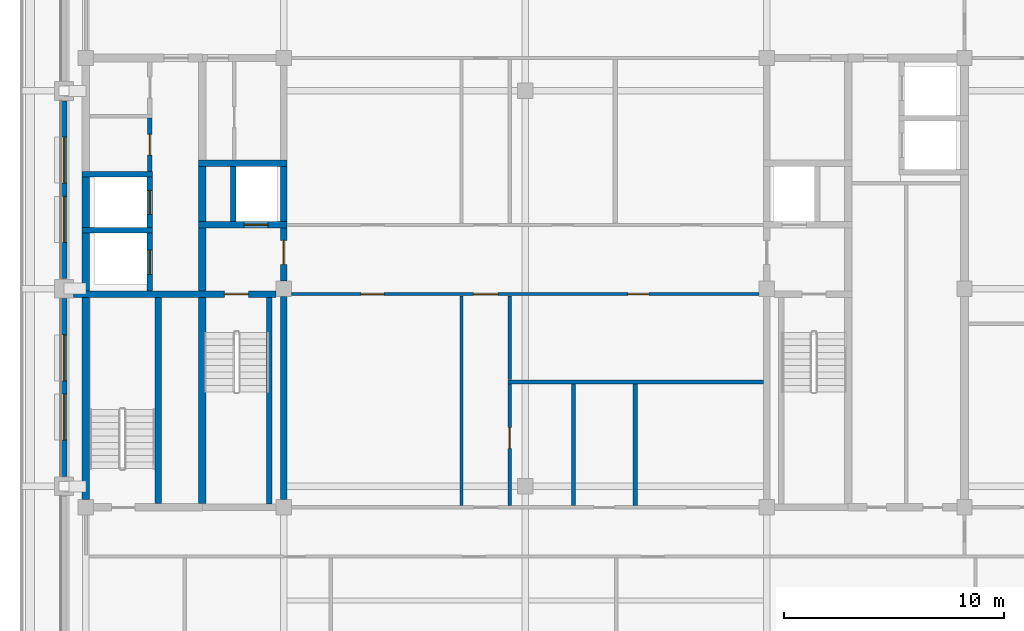
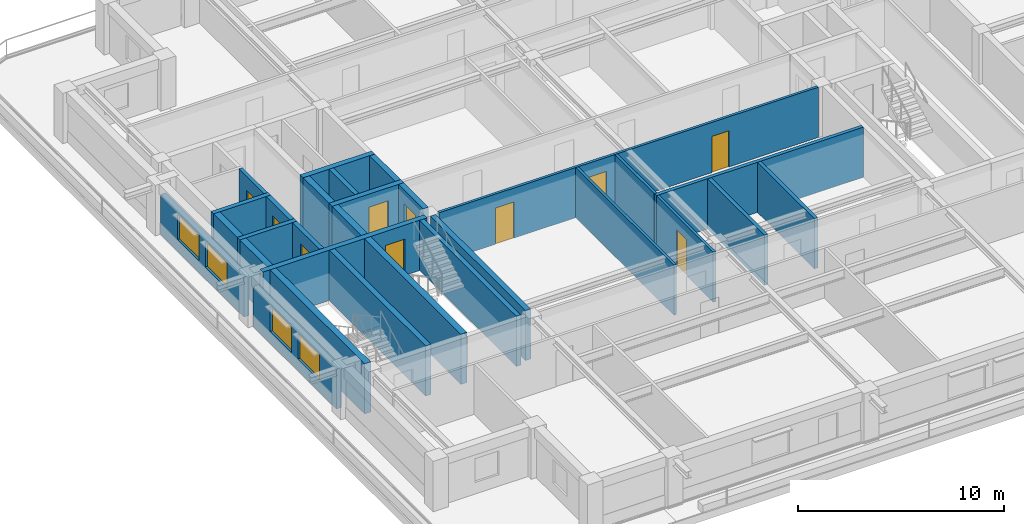
# One storey, part 3 of 11: 29 walls, 10 doors, 4 windows, 14 openings.
"""IFC4 building model written with IfcOpenShell, lengths in metres."""

from ifc_helpers import new_model, si_unit, direction, frame, frame_2d, origin, place, context, subcontext, project, spatial, rectangle, extrude, material, layer, layer_set, type_object, element, fill, save


model = new_model("IFC4")

# Units and contexts
model_context = context("Model", 3, precision=1e-05, world=origin(), true_north=direction((0.0, 1.0)))
body_context = subcontext(model_context, "Body", "Model", "MODEL_VIEW")
ifc_project = project(units=[si_unit("LENGTHUNIT", "METRE"), si_unit("AREAUNIT", "SQUARE_METRE"), si_unit("VOLUMEUNIT", "CUBIC_METRE"), si_unit("PLANEANGLEUNIT", "RADIAN"), si_unit("MASSUNIT", "GRAM", prefix="KILO")], contexts=[model_context])

# Site, building, storey
site_placement = place(None, origin())
site = spatial("IfcSite", under=ifc_project, at=site_placement, CompositionType="ELEMENT")
building_placement = place(site_placement, origin())
building = spatial("IfcBuilding", under=site, at=building_placement, Name="Zulmaris Gate Convention Tower", CompositionType="ELEMENT")
storey_placement = place(building_placement, frame((0.0, 0.0, 239.739990234375)))
storey = spatial("IfcBuildingStorey", under=building, at=storey_placement, Name="L63", CompositionType="ELEMENT", Elevation=239.739990234375)

# Walls
ifc_material_1 = material(Name="Concrete C50/60", Category="concrete")
ifc_layer_1 = layer(ifc_material_1, 0.25, Name="Concrete C50/60")
ifc_layer_set_1 = layer_set([ifc_layer_1], Name="Concrete C50/60")
wall_type_1 = type_object("IfcWallType", Name="CORE-250", PredefinedType="SOLIDWALL", material=ifc_layer_set_1)
for number, where, z_axis, x_axis, name in (
    (1, (-20.175048828125, 2.64990234375, 0.0), (0.0, 0.0, 1.0), (1.0, 0.0, 0.0), "WL-L63-007"),
    (2, (-20.175048828125, 5.199951171875, 0.0), (0.0, 0.0, 1.0), (1.0, 0.0, 0.0), "WL-L63-010"),
):
    element("IfcWall", number, at=place(storey_placement, frame(where, z_axis=z_axis, x_axis=x_axis)), inside=storey, type_object=wall_type_1, Name=name, PredefinedType="SOLIDWALL", context=body_context, shape_type="SweptSolid", body=[
        extrude(rectangle(XDim=3.199951171875, YDim=0.25, at=frame_2d((1.60009765625, 0.0))), origin(), (0.0, 0.0, 1.0), 2.97998046875),
    ])

# Wall, opening, door
wall_1_placement = place(storey_placement, frame((-17.10009765625, -0.097900390625, 0.0), z_axis=(0.0, 0.0, 1.0), x_axis=(0.0, 1.0, 0.0)))
wall_1 = element("IfcWall", 3, at=wall_1_placement, inside=storey, type_object=wall_type_1, Name="WL-L63-035", PredefinedType="SOLIDWALL", context=body_context, shape_type="SweptSolid", body=[
    extrude(rectangle(XDim=2.620849609375, YDim=0.25, at=frame_2d((1.310546875, 0.0))), origin(), (0.0, 0.0, 1.0), 2.97998046875),
])
opening_1_placement = place(wall_1_placement, frame((0.748046875, 0.0, 0.0)))
opening_1 = element("IfcOpeningElement", 4, at=opening_1_placement, cuts=wall_1, Name="Opening D-06", PredefinedType="OPENING", context=body_context, shape_type="SweptSolid", body=[
    extrude(rectangle(XDim=1.10009765625, YDim=2.199951171875, at=frame_2d((0.550048828125, 1.10009765625))), frame((0.0, 0.135009765625, 0.0), z_axis=(0.0, -1.0, 0.0), x_axis=(1.0, 0.0, 0.0)), (0.0, 0.0, 1.0), 0.27001953125),
])
ifc_material_2 = material(Name="Brushed Stainless Steel", Category="steel")
door_type_1 = type_object("IfcDoorType", Name="LD-1100", OperationType="NOTDEFINED", PredefinedType="DOOR", material=ifc_material_2)
door_1_placement = place(opening_1_placement, origin())
door_1 = element("IfcDoor", 5, at=door_1_placement, inside=storey, type_object=door_type_1, Name="L63 Lift Landing Door HP-03 11", OperationType="SLIDING_TO_LEFT", OverallHeight=2.199951171875, OverallWidth=1.10009765625, PredefinedType="DOOR", context=body_context, shape_type="SweptSolid", body=[
    extrude(rectangle(XDim=1.10009765625, YDim=2.199951171875, at=frame_2d((0.550048828125, 1.10009765625))), frame((0.0, 0.02490234375, 0.0), z_axis=(0.0, -1.0, 0.0), x_axis=(1.0, 0.0, 0.0)), (0.0, 0.0, 1.0), 0.050048828125),
])
fill(opening_1, door_1)

wall_2_placement = place(storey_placement, frame((-17.10009765625, 2.777099609375, 0.0), z_axis=(0.0, 0.0, 1.0), x_axis=(0.0, 1.0, 0.0)))
wall_2 = element("IfcWall", 6, at=wall_2_placement, inside=storey, type_object=wall_type_1, Name="WL-L63-036", PredefinedType="SOLIDWALL", context=body_context, shape_type="SweptSolid", body=[
    extrude(rectangle(XDim=2.2958984375, YDim=0.25, at=frame_2d((1.14794921875, 0.0))), origin(), (0.0, 0.0, 1.0), 2.97998046875),
])
opening_2_placement = place(wall_2_placement, frame((0.597900390625, 0.0, 0.0)))
opening_2 = element("IfcOpeningElement", 7, at=opening_2_placement, cuts=wall_2, Name="Opening D-06", PredefinedType="OPENING", context=body_context, shape_type="SweptSolid", body=[
    extrude(rectangle(XDim=1.10009765625, YDim=2.199951171875, at=frame_2d((0.550048828125, 1.10009765625))), frame((0.0, 0.135009765625, 0.0), z_axis=(0.0, -1.0, 0.0), x_axis=(1.0, 0.0, 0.0)), (0.0, 0.0, 1.0), 0.27001953125),
])
door_2_placement = place(opening_2_placement, origin())
door_2 = element("IfcDoor", 8, at=door_2_placement, inside=storey, type_object=door_type_1, Name="L63 Lift Landing Door HP-04 12", OperationType="SLIDING_TO_LEFT", OverallHeight=2.199951171875, OverallWidth=1.10009765625, PredefinedType="DOOR", context=body_context, shape_type="SweptSolid", body=[
    extrude(rectangle(XDim=1.10009765625, YDim=2.199951171875, at=frame_2d((0.550048828125, 1.10009765625))), frame((0.0, 0.02490234375, 0.0), z_axis=(0.0, -1.0, 0.0), x_axis=(1.0, 0.0, 0.0)), (0.0, 0.0, 1.0), 0.050048828125),
])
fill(opening_2, door_2)

# Walls
wall_3_placement = place(storey_placement, frame((-13.300048828125, 3.052001953125, 0.0), z_axis=(0.0, 0.0, 1.0), x_axis=(0.0, 1.0, 0.0)))
element("IfcWall", 9, at=wall_3_placement, inside=storey, type_object=wall_type_1, Name="WL-L63-042", PredefinedType="SOLIDWALL", context=body_context, shape_type="SweptSolid", body=[
    extrude(rectangle(XDim=2.49609375, YDim=0.25, at=frame_2d((1.248046875, 0.0))), origin(), (0.0, 0.0, 1.0), 2.97998046875),
])
wall_4_placement = place(storey_placement, frame((-11.64990234375, -9.798095703125, 0.0), z_axis=(0.0, 0.0, 1.0), x_axis=(0.0, 1.0, 0.0)))
element("IfcWall", 10, at=wall_4_placement, inside=storey, type_object=wall_type_1, Name="WL-L63-043", PredefinedType="SOLIDWALL", context=body_context, shape_type="SweptSolid", body=[
    extrude(rectangle(XDim=9.39599609375, YDim=0.25, at=frame_2d((4.697998046875, 0.0))), origin(), (0.0, 0.0, 1.0), 2.97998046875),
])

# Wall, opening, door
ifc_layer_2 = layer(ifc_material_1, 0.300048828125, Name="Concrete C50/60")
ifc_layer_set_2 = layer_set([ifc_layer_2], Name="Concrete C50/60")
wall_type_2 = type_object("IfcWallType", Name="CORE-300", PredefinedType="SHEAR", material=ifc_layer_set_2)
wall_5_placement = place(storey_placement, frame((-20.571044921875, -0.25, 0.0), z_axis=(0.0, 0.0, 1.0), x_axis=(1.0, 0.0, 0.0)))
wall_5 = element("IfcWall", 11, at=wall_5_placement, inside=storey, type_object=wall_type_2, Name="WL-L63-005", PredefinedType="SHEAR", context=body_context, shape_type="SweptSolid", body=[
    extrude(rectangle(XDim=9.217041015625, YDim=0.300048828125, at=frame_2d((4.6083984375, 0.0))), origin(), (0.0, 0.0, 1.0), 2.97998046875),
])
opening_3_placement = place(wall_5_placement, frame((6.87109375, 0.0, 0.0)))
opening_3 = element("IfcOpeningElement", 12, at=opening_3_placement, cuts=wall_5, Name="Opening D-08", PredefinedType="OPENING", context=body_context, shape_type="SweptSolid", body=[
    extrude(rectangle(XDim=1.10009765625, YDim=2.14990234375, at=frame_2d((0.550048828125, 1.074951171875))), frame((0.0, 0.16015625, 0.0), z_axis=(0.0, -1.0, 0.0), x_axis=(1.0, 0.0, 0.0)), (0.0, 0.0, 1.0), 0.320068359375),
])
ifc_material_3 = material(Name="Fire-Rated Steel", Category="steel")
door_type_2 = type_object("IfcDoorType", Name="DR-1100-FD", OperationType="NOTDEFINED", PredefinedType="DOOR", material=ifc_material_3)
door_3_placement = place(opening_3_placement, origin())
door_3 = element("IfcDoor", 13, at=door_3_placement, inside=storey, type_object=door_type_2, Name="L63 Exit Stair ST-1 Door 01", OperationType="SINGLE_SWING_RIGHT", OverallHeight=2.14990234375, OverallWidth=1.10009765625, PredefinedType="DOOR", context=body_context, shape_type="SweptSolid", body=[
    extrude(rectangle(XDim=1.10009765625, YDim=2.14990234375, at=frame_2d((0.550048828125, 1.074951171875))), frame((0.0, 0.02490234375, 0.0), z_axis=(0.0, -1.0, 0.0), x_axis=(1.0, 0.0, 0.0)), (0.0, 0.0, 1.0), 0.050048828125),
])
fill(opening_3, door_3)

wall_6_placement = place(storey_placement, frame((-14.875, 2.89990234375, 0.0), z_axis=(0.0, 0.0, 1.0), x_axis=(1.0, 0.0, 0.0)))
wall_6 = element("IfcWall", 14, at=wall_6_placement, inside=storey, type_object=wall_type_2, Name="WL-L63-008", PredefinedType="SHEAR", context=body_context, shape_type="SweptSolid", body=[
    extrude(rectangle(XDim=4.02490234375, YDim=0.300048828125, at=frame_2d((2.012451171875, 0.0))), origin(), (0.0, 0.0, 1.0), 2.97998046875),
])
opening_4_placement = place(wall_6_placement, frame((2.074951171875, 0.0, 0.0)))
opening_4 = element("IfcOpeningElement", 15, at=opening_4_placement, cuts=wall_6, Name="Opening D-06", PredefinedType="OPENING", context=body_context, shape_type="SweptSolid", body=[
    extrude(rectangle(XDim=1.10009765625, YDim=2.199951171875, at=frame_2d((0.550048828125, 1.10009765625))), frame((0.0, 0.16015625, 0.0), z_axis=(0.0, -1.0, 0.0), x_axis=(1.0, 0.0, 0.0)), (0.0, 0.0, 1.0), 0.320068359375),
])
door_4_placement = place(opening_4_placement, origin())
door_4 = element("IfcDoor", 16, at=door_4_placement, inside=storey, type_object=door_type_1, Name="L63 Lift Landing Door LF-01 03", OperationType="SLIDING_TO_LEFT", OverallHeight=2.199951171875, OverallWidth=1.10009765625, PredefinedType="DOOR", context=body_context, shape_type="SweptSolid", body=[
    extrude(rectangle(XDim=1.10009765625, YDim=2.199951171875, at=frame_2d((0.550048828125, 1.10009765625))), frame((0.0, 0.02490234375, 0.0), z_axis=(0.0, -1.0, 0.0), x_axis=(1.0, 0.0, 0.0)), (0.0, 0.0, 1.0), 0.050048828125),
])
fill(opening_4, door_4)

# Walls
wall_7_placement = place(storey_placement, frame((-14.875, 5.699951171875, 0.0), z_axis=(0.0, 0.0, 1.0), x_axis=(1.0, 0.0, 0.0)))
element("IfcWall", 17, at=wall_7_placement, inside=storey, type_object=wall_type_2, Name="WL-L63-012", PredefinedType="SHEAR", context=body_context, shape_type="SweptSolid", body=[
    extrude(rectangle(XDim=4.02490234375, YDim=0.300048828125, at=frame_2d((2.012451171875, 0.0))), origin(), (0.0, 0.0, 1.0), 2.97998046875),
])
wall_8_placement = place(storey_placement, frame((-16.699951171875, -9.77294921875, 0.0), z_axis=(0.0, 0.0, 1.0), x_axis=(0.0, 1.0, 0.0)))
element("IfcWall", 18, at=wall_8_placement, inside=storey, type_object=wall_type_2, Name="WL-L63-037", PredefinedType="SHEAR", context=body_context, shape_type="SweptSolid", body=[
    extrude(rectangle(XDim=9.370849609375, YDim=0.300048828125, at=frame_2d((4.685546875, 0.0))), origin(), (0.0, 0.0, 1.0), 2.97998046875),
])
wall_9_placement = place(storey_placement, frame((-11.0, -9.595947265625, 0.0), z_axis=(0.0, 0.0, 1.0), x_axis=(0.0, 1.0, 0.0)))
element("IfcWall", 19, at=wall_9_placement, inside=storey, type_object=wall_type_2, Name="WL-L63-044", PredefinedType="SHEAR", context=body_context, shape_type="SweptSolid", body=[
    extrude(rectangle(XDim=9.241943359375, YDim=0.300048828125, at=frame_2d((4.62109375, 0.0))), origin(), (0.0, 0.0, 1.0), 2.97998046875),
])

# Wall, opening, door
wall_10_placement = place(storey_placement, frame((-11.0, 0.35400390625, 0.0), z_axis=(0.0, 0.0, 1.0), x_axis=(0.0, 1.0, 0.0)))
wall_10 = element("IfcWall", 20, at=wall_10_placement, inside=storey, type_object=wall_type_2, Name="WL-L63-045", PredefinedType="SHEAR", context=body_context, shape_type="SweptSolid", body=[
    extrude(rectangle(XDim=2.39404296875, YDim=0.300048828125, at=frame_2d((1.197021484375, 0.0))), origin(), (0.0, 0.0, 1.0), 2.97998046875),
])
opening_5_placement = place(wall_10_placement, frame((0.74609375, 0.0, 0.0)))
opening_5 = element("IfcOpeningElement", 21, at=opening_5_placement, cuts=wall_10, Name="Opening D-08", PredefinedType="OPENING", context=body_context, shape_type="SweptSolid", body=[
    extrude(rectangle(XDim=1.10009765625, YDim=2.14990234375, at=frame_2d((0.550048828125, 1.074951171875))), frame((0.0, 0.16015625, 0.0), z_axis=(0.0, -1.0, 0.0), x_axis=(1.0, 0.0, 0.0)), (0.0, 0.0, 1.0), 0.320068359375),
])
door_5_placement = place(opening_5_placement, origin())
door_5 = element("IfcDoor", 22, at=door_5_placement, inside=storey, type_object=door_type_2, Name="L63 West Firefighting Lobby Door 02", OperationType="SINGLE_SWING_LEFT", OverallHeight=2.14990234375, OverallWidth=1.10009765625, PredefinedType="DOOR", context=body_context, shape_type="SweptSolid", body=[
    extrude(rectangle(XDim=1.10009765625, YDim=2.14990234375, at=frame_2d((0.550048828125, 1.074951171875))), frame((0.0, 0.02490234375, 0.0), z_axis=(0.0, -1.0, 0.0), x_axis=(1.0, 0.0, 0.0)), (0.0, 0.0, 1.0), 0.050048828125),
])
fill(opening_5, door_5)

# Walls
wall_11_placement = place(storey_placement, frame((-11.0, 3.052001953125, 0.0), z_axis=(0.0, 0.0, 1.0), x_axis=(0.0, 1.0, 0.0)))
element("IfcWall", 23, at=wall_11_placement, inside=storey, type_object=wall_type_2, Name="WL-L63-046", PredefinedType="SHEAR", context=body_context, shape_type="SweptSolid", body=[
    extrude(rectangle(XDim=2.49609375, YDim=0.300048828125, at=frame_2d((1.248046875, 0.0))), origin(), (0.0, 0.0, 1.0), 2.97998046875),
])
ifc_material_4 = material(Name="Concrete C55/67", Category="concrete")
ifc_layer_3 = layer(ifc_material_4, 0.35009765625, Name="Concrete C55/67")
ifc_layer_set_3 = layer_set([ifc_layer_3], Name="Concrete C55/67")
wall_type_3 = type_object("IfcWallType", Name="CORE-350", PredefinedType="SHEAR", material=ifc_layer_set_3)
wall_12_placement = place(storey_placement, frame((-20.0, -9.595947265625, 0.0), z_axis=(0.0, 0.0, 1.0), x_axis=(0.0, 1.0, 0.0)))
element("IfcWall", 24, at=wall_12_placement, inside=storey, type_object=wall_type_3, Name="WL-L63-031", PredefinedType="SHEAR", context=body_context, shape_type="SweptSolid", body=[
    extrude(rectangle(XDim=9.19384765625, YDim=0.35009765625, at=frame_2d((4.596923828125, 0.0))), origin(), (0.0, 0.0, 1.0), 2.97998046875),
])
wall_13_placement = place(storey_placement, frame((-20.0, -0.097900390625, 0.0), z_axis=(0.0, 0.0, 1.0), x_axis=(0.0, 1.0, 0.0)))
element("IfcWall", 25, at=wall_13_placement, inside=storey, type_object=wall_type_3, Name="WL-L63-032", PredefinedType="SHEAR", context=body_context, shape_type="SweptSolid", body=[
    extrude(rectangle(XDim=2.620849609375, YDim=0.35009765625, at=frame_2d((1.310546875, 0.0))), origin(), (0.0, 0.0, 1.0), 2.97998046875),
])
wall_14_placement = place(storey_placement, frame((-20.0, 2.777099609375, 0.0), z_axis=(0.0, 0.0, 1.0), x_axis=(0.0, 1.0, 0.0)))
element("IfcWall", 26, at=wall_14_placement, inside=storey, type_object=wall_type_3, Name="WL-L63-033", PredefinedType="SHEAR", context=body_context, shape_type="SweptSolid", body=[
    extrude(rectangle(XDim=2.2958984375, YDim=0.35009765625, at=frame_2d((1.14794921875, 0.0))), origin(), (0.0, 0.0, 1.0), 2.97998046875),
])
wall_15_placement = place(storey_placement, frame((-14.699951171875, -9.77294921875, 0.0), z_axis=(0.0, 0.0, 1.0), x_axis=(0.0, 1.0, 0.0)))
element("IfcWall", 27, at=wall_15_placement, inside=storey, type_object=wall_type_3, Name="WL-L63-038", PredefinedType="SHEAR", context=body_context, shape_type="SweptSolid", body=[
    extrude(rectangle(XDim=9.370849609375, YDim=0.35009765625, at=frame_2d((4.685546875, 0.0))), origin(), (0.0, 0.0, 1.0), 2.97998046875),
])
wall_16_placement = place(storey_placement, frame((-14.699951171875, -0.097900390625, 0.0), z_axis=(0.0, 0.0, 1.0), x_axis=(0.0, 1.0, 0.0)))
element("IfcWall", 28, at=wall_16_placement, inside=storey, type_object=wall_type_3, Name="WL-L63-039", PredefinedType="SHEAR", context=body_context, shape_type="SweptSolid", body=[
    extrude(rectangle(XDim=2.845947265625, YDim=0.35009765625, at=frame_2d((1.4228515625, 0.0))), origin(), (0.0, 0.0, 1.0), 2.97998046875),
])
wall_17_placement = place(storey_placement, frame((-14.699951171875, 3.052001953125, 0.0), z_axis=(0.0, 0.0, 1.0), x_axis=(0.0, 1.0, 0.0)))
element("IfcWall", 29, at=wall_17_placement, inside=storey, type_object=wall_type_3, Name="WL-L63-040", PredefinedType="SHEAR", context=body_context, shape_type="SweptSolid", body=[
    extrude(rectangle(XDim=2.49609375, YDim=0.35009765625, at=frame_2d((1.248046875, 0.0))), origin(), (0.0, 0.0, 1.0), 2.97998046875),
])

# Wall, openings, doors
ifc_material_5 = material(Name="Gypsum Metal Stud Partition")
ifc_layer_4 = layer(ifc_material_5, 0.14990234375, Name="Gypsum Metal Stud Partition")
ifc_layer_set_4 = layer_set([ifc_layer_4], Name="Gypsum Metal Stud Partition")
wall_type_4 = type_object("IfcWallType", Name="PART-150", PredefinedType="PARTITIONING", material=ifc_layer_set_4)
wall_18_placement = place(storey_placement, frame((-10.64404296875, -0.25, 0.0), z_axis=(0.0, 0.0, 1.0), x_axis=(1.0, 0.0, 0.0)))
wall_18 = element("IfcWall", 30, at=wall_18_placement, inside=storey, type_object=wall_type_4, Name="WL-L63-024", PredefinedType="PARTITIONING", context=body_context, shape_type="SweptSolid", body=[
    extrude(rectangle(XDim=21.2880859375, YDim=0.14990234375, at=frame_2d((10.64404296875, 0.0))), origin(), (0.0, 0.0, 1.0), 2.97998046875),
])
opening_6_placement = place(wall_18_placement, frame((8.2939453125, 0.0, 0.0)))
opening_6 = element("IfcOpeningElement", 31, at=opening_6_placement, cuts=wall_18, Name="Opening D-08", PredefinedType="OPENING", context=body_context, shape_type="SweptSolid", body=[
    extrude(rectangle(XDim=1.10009765625, YDim=2.14990234375, at=frame_2d((0.550048828125, 1.074951171875))), frame((0.0, 0.0849609375, 0.0), z_axis=(0.0, -1.0, 0.0), x_axis=(1.0, 0.0, 0.0)), (0.0, 0.0, 1.0), 0.169921875),
])
opening_7_placement = place(wall_18_placement, frame((3.1689453125, 0.0, 0.0)))
opening_7 = element("IfcOpeningElement", 32, at=opening_7_placement, cuts=wall_18, Name="Opening D-09", PredefinedType="OPENING", context=body_context, shape_type="SweptSolid", body=[
    extrude(rectangle(XDim=1.050048828125, YDim=2.14990234375, at=frame_2d((0.52490234375, 1.074951171875))), frame((0.0, 0.0849609375, 0.0), z_axis=(0.0, -1.0, 0.0), x_axis=(1.0, 0.0, 0.0)), (0.0, 0.0, 1.0), 0.169921875),
])
opening_8_placement = place(wall_18_placement, frame((15.319091796875, 0.0, 0.0)))
opening_8 = element("IfcOpeningElement", 33, at=opening_8_placement, cuts=wall_18, Name="Opening D-11", PredefinedType="OPENING", context=body_context, shape_type="SweptSolid", body=[
    extrude(rectangle(XDim=0.949951171875, YDim=2.14990234375, at=frame_2d((0.47509765625, 1.074951171875))), frame((0.0, 0.0849609375, 0.0), z_axis=(0.0, -1.0, 0.0), x_axis=(1.0, 0.0, 0.0)), (0.0, 0.0, 1.0), 0.169921875),
])
door_type_3 = type_object("IfcDoorType", Name="DR-1050-FD", OperationType="NOTDEFINED", PredefinedType="DOOR", material=ifc_material_3)
door_6_placement = place(opening_7_placement, origin())
door_6 = element("IfcDoor", 34, at=door_6_placement, inside=storey, type_object=door_type_3, Name="L63 Sky Library Door 37", OperationType="SINGLE_SWING_RIGHT", OverallHeight=2.14990234375, OverallWidth=1.050048828125, PredefinedType="DOOR", context=body_context, shape_type="SweptSolid", body=[
    extrude(rectangle(XDim=1.050048828125, YDim=2.14990234375, at=frame_2d((0.52490234375, 1.074951171875))), frame((0.0, 0.02490234375, 0.0), z_axis=(0.0, -1.0, 0.0), x_axis=(1.0, 0.0, 0.0)), (0.0, 0.0, 1.0), 0.050048828125),
])
fill(opening_7, door_6)
door_7_placement = place(opening_6_placement, origin())
door_7 = element("IfcDoor", 35, at=door_7_placement, inside=storey, type_object=door_type_2, Name="L63 Exec Cross South Door 24", OperationType="SINGLE_SWING_LEFT", OverallHeight=2.14990234375, OverallWidth=1.10009765625, PredefinedType="DOOR", context=body_context, shape_type="SweptSolid", body=[
    extrude(rectangle(XDim=1.10009765625, YDim=2.14990234375, at=frame_2d((0.550048828125, 1.074951171875))), frame((0.0, 0.02490234375, 0.0), z_axis=(0.0, -1.0, 0.0), x_axis=(1.0, 0.0, 0.0)), (0.0, 0.0, 1.0), 0.050048828125),
])
fill(opening_6, door_7)
ifc_material_6 = material(Name="Fire-Rated Timber", Category="wood")
door_type_4 = type_object("IfcDoorType", Name="DR-950-FD", OperationType="NOTDEFINED", PredefinedType="DOOR", material=ifc_material_6)
door_8_placement = place(opening_8_placement, origin())
door_8 = element("IfcDoor", 36, at=door_8_placement, inside=storey, type_object=door_type_4, Name="L63 Public WC Door 38", OperationType="SINGLE_SWING_LEFT", OverallHeight=2.14990234375, OverallWidth=0.949951171875, PredefinedType="DOOR", context=body_context, shape_type="SweptSolid", body=[
    extrude(rectangle(XDim=0.949951171875, YDim=2.14990234375, at=frame_2d((0.47509765625, 1.074951171875))), frame((0.0, 0.02490234375, 0.0), z_axis=(0.0, -1.0, 0.0), x_axis=(1.0, 0.0, 0.0)), (0.0, 0.0, 1.0), 0.050048828125),
])
fill(opening_8, door_8)

# Wall
wall_19_placement = place(storey_placement, frame((-2.89990234375, -9.8720703125, 0.0), z_axis=(0.0, 0.0, 1.0), x_axis=(0.0, 1.0, 0.0)))
element("IfcWall", 37, at=wall_19_placement, inside=storey, type_object=wall_type_4, Name="WL-L63-072", PredefinedType="PARTITIONING", context=body_context, shape_type="SweptSolid", body=[
    extrude(rectangle(XDim=9.544189453125, YDim=0.14990234375, at=frame_2d((4.77197265625, 0.0))), origin(), (0.0, 0.0, 1.0), 2.97998046875),
])

# Wall, opening, door
wall_20_placement = place(storey_placement, frame((-0.699951171875, -9.8720703125, 0.0), z_axis=(0.0, 0.0, 1.0), x_axis=(0.0, 1.0, 0.0)))
wall_20 = element("IfcWall", 38, at=wall_20_placement, inside=storey, type_object=wall_type_4, Name="WL-L63-074", PredefinedType="PARTITIONING", context=body_context, shape_type="SweptSolid", body=[
    extrude(rectangle(XDim=5.51904296875, YDim=0.14990234375, at=frame_2d((2.759521484375, 0.0))), origin(), (0.0, 0.0, 1.0), 2.97998046875),
])
opening_9_placement = place(wall_20_placement, frame((2.596923828125, 0.0, 0.0)))
opening_9 = element("IfcOpeningElement", 39, at=opening_9_placement, cuts=wall_20, Name="Opening D-11", PredefinedType="OPENING", context=body_context, shape_type="SweptSolid", body=[
    extrude(rectangle(XDim=0.949951171875, YDim=2.14990234375, at=frame_2d((0.47509765625, 1.074951171875))), frame((0.0, 0.0849609375, 0.0), z_axis=(0.0, -1.0, 0.0), x_axis=(1.0, 0.0, 0.0)), (0.0, 0.0, 1.0), 0.169921875),
])
door_9_placement = place(opening_9_placement, origin())
door_9 = element("IfcDoor", 40, at=door_9_placement, inside=storey, type_object=door_type_4, Name="L63 Hygiene Supply Door 39", OperationType="SINGLE_SWING_RIGHT", OverallHeight=2.14990234375, OverallWidth=0.949951171875, PredefinedType="DOOR", context=body_context, shape_type="SweptSolid", body=[
    extrude(rectangle(XDim=0.949951171875, YDim=2.14990234375, at=frame_2d((0.47509765625, 1.074951171875))), frame((0.0, 0.02490234375, 0.0), z_axis=(0.0, -1.0, 0.0), x_axis=(1.0, 0.0, 0.0)), (0.0, 0.0, 1.0), 0.050048828125),
])
fill(opening_9, door_9)

# Walls
wall_21_placement = place(storey_placement, frame((-0.699951171875, -4.14697265625, 0.0), z_axis=(0.0, 0.0, 1.0), x_axis=(0.0, 1.0, 0.0)))
element("IfcWall", 41, at=wall_21_placement, inside=storey, type_object=wall_type_4, Name="WL-L63-075", PredefinedType="PARTITIONING", context=body_context, shape_type="SweptSolid", body=[
    extrude(rectangle(XDim=3.819091796875, YDim=0.14990234375, at=frame_2d((1.90966796875, 0.0))), origin(), (0.0, 0.0, 1.0), 2.97998046875),
])
ifc_material_7 = material(Name="Autoclaved Aerated Concrete Block and Plasterboard", Category="concrete")
ifc_layer_5 = layer(ifc_material_7, 0.199951171875, Name="Autoclaved Aerated Concrete Block and Plasterboard")
ifc_layer_set_5 = layer_set([ifc_layer_5], Name="Autoclaved Aerated Concrete Block and Plasterboard")
wall_type_5 = type_object("IfcWallType", Name="PART-200", PredefinedType="PARTITIONING", material=ifc_layer_set_5)
wall_22_placement = place(storey_placement, frame((-0.77490234375, -4.25, 0.0), z_axis=(0.0, 0.0, 1.0), x_axis=(1.0, 0.0, 0.0)))
element("IfcWall", 42, at=wall_22_placement, inside=storey, type_object=wall_type_5, Name="WL-L63-022", PredefinedType="PARTITIONING", context=body_context, shape_type="SweptSolid", body=[
    extrude(rectangle(XDim=11.621826171875, YDim=0.199951171875, at=frame_2d((5.81103515625, 0.0))), origin(), (0.0, 0.0, 1.0), 2.97998046875),
])

# Wall, opening, door
wall_23_placement = place(storey_placement, frame((-17.10009765625, 5.327880859375, 0.0), z_axis=(0.0, 0.0, 1.0), x_axis=(0.0, 1.0, 0.0)))
wall_23 = element("IfcWall", 43, at=wall_23_placement, inside=storey, type_object=wall_type_5, Name="WL-L63-065", PredefinedType="PARTITIONING", context=body_context, shape_type="SweptSolid", body=[
    extrude(rectangle(XDim=2.444091796875, YDim=0.199951171875, at=frame_2d((1.22216796875, 0.0))), origin(), (0.0, 0.0, 1.0), 2.97998046875),
])
opening_10_placement = place(wall_23_placement, frame((0.7470703125, 0.0, 0.0)))
opening_10 = element("IfcOpeningElement", 44, at=opening_10_placement, cuts=wall_23, Name="Opening D-11", PredefinedType="OPENING", context=body_context, shape_type="SweptSolid", body=[
    extrude(rectangle(XDim=0.949951171875, YDim=2.14990234375, at=frame_2d((0.47509765625, 1.074951171875))), frame((0.0, 0.10986328125, 0.0), z_axis=(0.0, -1.0, 0.0), x_axis=(1.0, 0.0, 0.0)), (0.0, 0.0, 1.0), 0.219970703125),
])
door_10_placement = place(opening_10_placement, origin())
door_10 = element("IfcDoor", 45, at=door_10_placement, inside=storey, type_object=door_type_4, Name="L63 Valet Closet Door 15", OperationType="SINGLE_SWING_RIGHT", OverallHeight=2.14990234375, OverallWidth=0.949951171875, PredefinedType="DOOR", context=body_context, shape_type="SweptSolid", body=[
    extrude(rectangle(XDim=0.949951171875, YDim=2.14990234375, at=frame_2d((0.47509765625, 1.074951171875))), frame((0.0, 0.02490234375, 0.0), z_axis=(0.0, -1.0, 0.0), x_axis=(1.0, 0.0, 0.0)), (0.0, 0.0, 1.0), 0.050048828125),
])
fill(opening_10, door_10)

# Walls
for number, where, z_axis, x_axis, name in (
    (46, (2.199951171875, -9.8720703125, 0.0), (0.0, 0.0, 1.0), (0.0, 1.0, 0.0), "WL-L63-078"),
    (47, (5.0, -9.8720703125, 0.0), (0.0, 0.0, 1.0), (0.0, 1.0, 0.0), "WL-L63-081"),
):
    element("IfcWall", number, at=place(storey_placement, frame(where, z_axis=z_axis, x_axis=x_axis)), inside=storey, type_object=wall_type_5, Name=name, PredefinedType="PARTITIONING", context=body_context, shape_type="SweptSolid", body=[
        extrude(rectangle(XDim=5.51904296875, YDim=0.199951171875, at=frame_2d((2.759521484375, 0.0))), origin(), (0.0, 0.0, 1.0), 2.97998046875),
    ])

# Wall, openings, windows
ifc_material_8 = material(Name="Precast concrete C40/50", Category="concrete")
ifc_layer_6 = layer(ifc_material_8, 0.300048828125, Name="Precast concrete C40/50")
ifc_layer_set_6 = layer_set([ifc_layer_6], Name="Precast concrete C40/50")
wall_type_6 = type_object("IfcWallType", Name="PRECAST-PIER-300", PredefinedType="STANDARD", material=ifc_layer_set_6)
wall_24_placement = place(storey_placement, frame((-21.0, -0.455078125, 0.0), z_axis=(0.0, 0.0, 1.0), x_axis=(0.0, -1.0, 0.0)))
wall_24 = element("IfcWall", 48, at=wall_24_placement, inside=storey, type_object=wall_type_6, Name="EW-L63-W-1_0", PredefinedType="STANDARD", context=body_context, shape_type="SweptSolid", body=[
    extrude(rectangle(XDim=8.08984375, YDim=0.300048828125, at=frame_2d((4.044921875, 0.0))), origin(), (0.0, 0.0, 1.0), 2.3720703125),
])
opening_11_placement = place(wall_24_placement, frame((1.64697265625, 0.0, 0.699951171875)))
opening_11 = element("IfcOpeningElement", 49, at=opening_11_placement, cuts=wall_24, Name="Opening W-05", PredefinedType="OPENING", context=body_context, shape_type="SweptSolid", body=[
    extrude(rectangle(XDim=2.10009765625, YDim=1.5, at=frame_2d((1.050048828125, 0.75))), frame((0.0, 0.16015625, 0.0), z_axis=(0.0, -1.0, 0.0), x_axis=(1.0, 0.0, 0.0)), (0.0, 0.0, 1.0), 0.320068359375),
])
opening_12_placement = place(wall_24_placement, frame((4.343017578125, 0.0, 0.699951171875)))
opening_12 = element("IfcOpeningElement", 50, at=opening_12_placement, cuts=wall_24, Name="Opening W-05", PredefinedType="OPENING", context=body_context, shape_type="SweptSolid", body=[
    extrude(rectangle(XDim=2.10009765625, YDim=1.5, at=frame_2d((1.050048828125, 0.75))), frame((0.0, 0.16015625, 0.0), z_axis=(0.0, -1.0, 0.0), x_axis=(1.0, 0.0, 0.0)), (0.0, 0.0, 1.0), 0.320068359375),
])
ifc_material_9 = material(Name="Low-E Laminated Double Glazing in Aluminium Frame", Category="aluminium")
window_type = type_object("IfcWindowType", Name="WIN-2100x2400", PartitioningType="SINGLE_PANEL", PredefinedType="WINDOW", material=ifc_material_9)
window_1_placement = place(opening_11_placement, origin())
window_1 = element("IfcWindow", 51, at=window_1_placement, inside=storey, type_object=window_type, Name="WN-EW-L63-W-1_0-1", OverallHeight=1.5, OverallWidth=2.10009765625, PartitioningType="SINGLE_PANEL", PredefinedType="WINDOW", context=body_context, shape_type="SweptSolid", body=[
    extrude(rectangle(XDim=2.10009765625, YDim=1.5, at=frame_2d((1.050048828125, 0.75))), frame((0.0, 0.030029296875, 0.0), z_axis=(0.0, -1.0, 0.0), x_axis=(1.0, 0.0, 0.0)), (0.0, 0.0, 1.0), 0.06005859375),
])
fill(opening_11, window_1)
window_2_placement = place(opening_12_placement, origin())
window_2 = element("IfcWindow", 52, at=window_2_placement, inside=storey, type_object=window_type, Name="WN-EW-L63-W-1_0-2", OverallHeight=1.5, OverallWidth=2.10009765625, PartitioningType="SINGLE_PANEL", PredefinedType="WINDOW", context=body_context, shape_type="SweptSolid", body=[
    extrude(rectangle(XDim=2.10009765625, YDim=1.5, at=frame_2d((1.050048828125, 0.75))), frame((0.0, 0.030029296875, 0.0), z_axis=(0.0, -1.0, 0.0), x_axis=(1.0, 0.0, 0.0)), (0.0, 0.0, 1.0), 0.06005859375),
])
fill(opening_12, window_2)

wall_25_placement = place(storey_placement, frame((-21.0, 8.544921875, 0.0), z_axis=(0.0, 0.0, 1.0), x_axis=(0.0, -1.0, 0.0)))
wall_25 = element("IfcWall", 53, at=wall_25_placement, inside=storey, type_object=wall_type_6, Name="EW-L63-W-2_0", PredefinedType="STANDARD", context=body_context, shape_type="SweptSolid", body=[
    extrude(rectangle(XDim=8.08984375, YDim=0.300048828125, at=frame_2d((4.044921875, 0.0))), origin(), (0.0, 0.0, 1.0), 2.3720703125),
])
opening_13_placement = place(wall_25_placement, frame((1.64697265625, 0.0, 0.699951171875)))
opening_13 = element("IfcOpeningElement", 54, at=opening_13_placement, cuts=wall_25, Name="Opening W-05", PredefinedType="OPENING", context=body_context, shape_type="SweptSolid", body=[
    extrude(rectangle(XDim=2.10009765625, YDim=1.5, at=frame_2d((1.050048828125, 0.75))), frame((0.0, 0.16015625, 0.0), z_axis=(0.0, -1.0, 0.0), x_axis=(1.0, 0.0, 0.0)), (0.0, 0.0, 1.0), 0.320068359375),
])
opening_14_placement = place(wall_25_placement, frame((4.343017578125, 0.0, 0.699951171875)))
opening_14 = element("IfcOpeningElement", 55, at=opening_14_placement, cuts=wall_25, Name="Opening W-05", PredefinedType="OPENING", context=body_context, shape_type="SweptSolid", body=[
    extrude(rectangle(XDim=2.10009765625, YDim=1.5, at=frame_2d((1.050048828125, 0.75))), frame((0.0, 0.16015625, 0.0), z_axis=(0.0, -1.0, 0.0), x_axis=(1.0, 0.0, 0.0)), (0.0, 0.0, 1.0), 0.320068359375),
])
window_3_placement = place(opening_13_placement, origin())
window_3 = element("IfcWindow", 56, at=window_3_placement, inside=storey, type_object=window_type, Name="WN-EW-L63-W-2_0-1", OverallHeight=1.5, OverallWidth=2.10009765625, PartitioningType="SINGLE_PANEL", PredefinedType="WINDOW", context=body_context, shape_type="SweptSolid", body=[
    extrude(rectangle(XDim=2.10009765625, YDim=1.5, at=frame_2d((1.050048828125, 0.75))), frame((0.0, 0.030029296875, 0.0), z_axis=(0.0, -1.0, 0.0), x_axis=(1.0, 0.0, 0.0)), (0.0, 0.0, 1.0), 0.06005859375),
])
fill(opening_13, window_3)
window_4_placement = place(opening_14_placement, origin())
window_4 = element("IfcWindow", 57, at=window_4_placement, inside=storey, type_object=window_type, Name="WN-EW-L63-W-2_0-2", OverallHeight=1.5, OverallWidth=2.10009765625, PartitioningType="SINGLE_PANEL", PredefinedType="WINDOW", context=body_context, shape_type="SweptSolid", body=[
    extrude(rectangle(XDim=2.10009765625, YDim=1.5, at=frame_2d((1.050048828125, 0.75))), frame((0.0, 0.030029296875, 0.0), z_axis=(0.0, -1.0, 0.0), x_axis=(1.0, 0.0, 0.0)), (0.0, 0.0, 1.0), 0.06005859375),
])
fill(opening_14, window_4)

save(model, "model.ifc")
